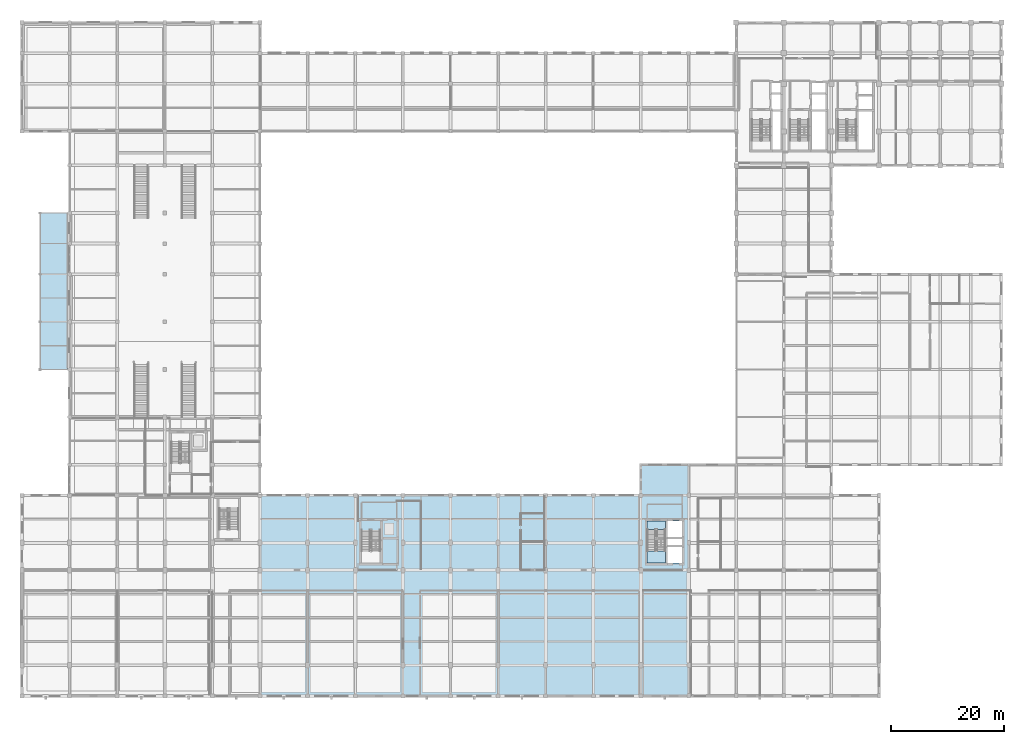
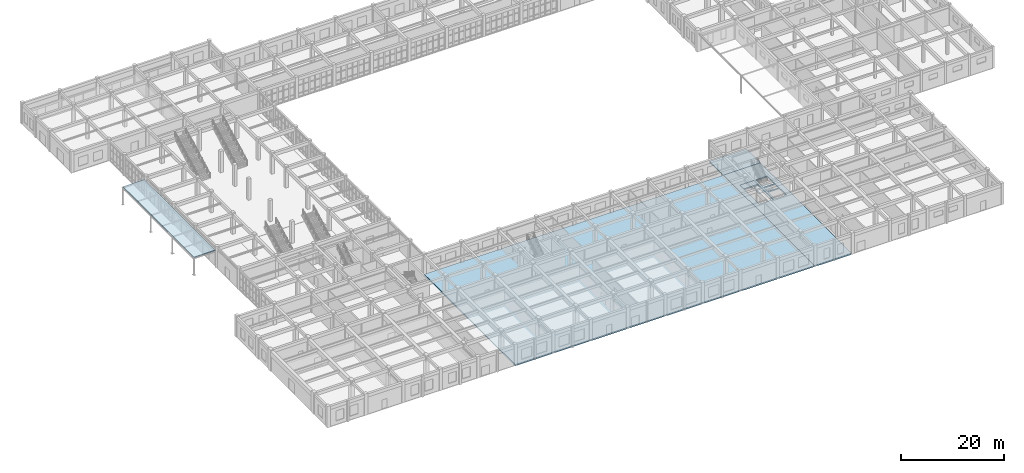
# One storey, part 44 of 80: 6 slabs, 1 element without a shape of its own.
"""IFC4 building model written with IfcOpenShell, lengths in metres."""

from ifc_helpers import new_model, si_unit, direction, frame, origin, place, context, subcontext, project, spatial, polyline, outline, extrude, material, layer, layer_set, type_object, element, aggregate, save


model = new_model("IFC4")

# Units and contexts
model_context = context("Model", 3, precision=1e-05, world=origin(), true_north=direction((0.0, 1.0)))
body_context = subcontext(model_context, "Body", "Model", "MODEL_VIEW")
ifc_project = project(units=[si_unit("LENGTHUNIT", "METRE"), si_unit("AREAUNIT", "SQUARE_METRE"), si_unit("VOLUMEUNIT", "CUBIC_METRE"), si_unit("PLANEANGLEUNIT", "RADIAN"), si_unit("MASSUNIT", "GRAM", prefix="KILO")], contexts=[model_context])

# Site, building, storey
site_placement = place(None, origin())
site = spatial("IfcSite", under=ifc_project, at=site_placement, CompositionType="ELEMENT")
building_placement = place(site_placement, origin())
building = spatial("IfcBuilding", under=site, at=building_placement, Name="Krzemoval Escarpment Law Courts", CompositionType="ELEMENT")
storey_placement = place(building_placement, origin())
storey = spatial("IfcBuildingStorey", under=building, at=storey_placement, Name="L00", CompositionType="ELEMENT", Elevation=0.0)

# Slabs
ifc_material_1 = material(Name="Concrete C40/50", Category="concrete")
ifc_layer_1 = layer(ifc_material_1, 0.300048828125)
ifc_layer_set_1 = layer_set([ifc_layer_1], Name="Concrete C40/50")
slab_type_1 = type_object("IfcSlabType", Name="SL-FLR-300", PredefinedType="FLOOR", material=ifc_layer_set_1)
slab_1_placement = place(storey_placement, frame((0.0, 0.0, -0.300048828125)))
element("IfcSlab", 1, at=slab_1_placement, inside=storey, type_object=slab_type_1, Name="Floor Slab SL-L00-V2-008", PredefinedType="FLOOR", context=body_context, shape_type="SweptSolid", body=[
    extrude(outline(polyline([(109.199951171875, 35.39990234375), (109.199951171875, 0.0), (42.0400390625, 0.0), (42.0400390625, 35.39990234375), (109.199951171875, 35.39990234375)])), origin(), (0.0, 0.0, 1.0), 0.300048828125),
])
slab_2_placement = place(storey_placement, frame((0.0, 0.0, -0.300048828125)))
element("IfcSlab", 2, at=slab_2_placement, inside=storey, type_object=slab_type_1, Name="Floor Slab SL-L00-V3-009", PredefinedType="FLOOR", context=body_context, shape_type="SweptSolid", body=[
    extrude(outline(polyline([(109.199951171875, 0.0), (109.199951171875, 35.39990234375), (117.56005859375, 35.39990234375), (117.56005859375, 0.0), (109.199951171875, 0.0)]), holes=[polyline([(116.449951171875, 23.449951171875), (116.449951171875, 26.25), (113.85009765625, 26.25), (113.85009765625, 23.449951171875), (116.449951171875, 23.449951171875)]), polyline([(113.85009765625, 28.050048828125), (116.449951171875, 28.050048828125), (116.449951171875, 30.85009765625), (113.85009765625, 30.85009765625), (113.85009765625, 28.050048828125)]), polyline([(113.85009765625, 27.800048828125), (113.85009765625, 26.39990234375), (116.449951171875, 26.39990234375), (116.449951171875, 27.800048828125), (113.85009765625, 27.800048828125)]), polyline([(113.5, 30.85009765625), (110.300048828125, 30.85009765625), (110.300048828125, 23.449951171875), (113.5, 23.449951171875), (113.5, 30.85009765625)])]), origin(), (0.0, 0.0, 1.0), 0.300048828125),
])
slab_3_placement = place(storey_placement, frame((0.0, 0.0, -0.300048828125)))
element("IfcSlab", 3, at=slab_3_placement, inside=storey, type_object=slab_type_1, Name="Floor Slab SL-L00-V6-015", PredefinedType="FLOOR", context=body_context, shape_type="SweptSolid", body=[
    extrude(outline(polyline([(109.199951171875, 35.39990234375), (109.199951171875, 40.800048828125), (117.56005859375, 40.800048828125), (117.56005859375, 35.39990234375), (109.199951171875, 35.39990234375)])), origin(), (0.0, 0.0, 1.0), 0.300048828125),
])
slab_4_placement = place(storey_placement, frame((0.0, 0.0, -0.300048828125)))
element("IfcSlab", 4, at=slab_4_placement, inside=storey, type_object=slab_type_1, Name="Core Floor Landing Slab SL-ST6-L00-FL", PredefinedType="FLOOR", context=body_context, shape_type="SweptSolid", body=[
    extrude(outline(polyline([(110.300048828125, 30.85009765625), (110.300048828125, 29.35009765625), (113.5, 29.35009765625), (113.5, 30.85009765625), (110.300048828125, 30.85009765625)])), origin(), (0.0, 0.0, 1.0), 0.300048828125),
])

# Stair, slab
ifc_material_2 = material(Name="Concrete C40/50", Category="concrete")
stair_type = type_object("IfcStairType", Name="STR-CORE-1500", PredefinedType="HALF_TURN_STAIR", material=ifc_material_2)
stair_placement = place(storey_placement, origin())
stair = element("IfcStair", 5, at=stair_placement, inside=storey, type_object=stair_type, Name="L00 ST6", PredefinedType="HALF_TURN_STAIR")
ifc_material_3 = material(Name="Concrete C40/50", Category="concrete")
ifc_layer_2 = layer(ifc_material_3, 0.199951171875)
ifc_layer_set_2 = layer_set([ifc_layer_2], Name="Concrete C40/50")
slab_type_2 = type_object("IfcSlabType", Name="SL-LND-200", PredefinedType="LANDING", material=ifc_layer_set_2)
slab_5_placement = place(storey_placement, frame((0.0, 0.0, 2.35009765625)))
slab_5 = element("IfcSlab", 6, at=slab_5_placement, type_object=slab_type_2, Name="ST6 landing 1", PredefinedType="LANDING", context=body_context, shape_type="SweptSolid", body=[
    extrude(outline(polyline([(110.300048828125, 25.580078125), (110.300048828125, 23.449951171875), (113.5, 23.449951171875), (113.5, 25.580078125), (110.300048828125, 25.580078125)])), origin(), (0.0, 0.0, 1.0), 0.199951171875),
])
aggregate(stair, [slab_5])

# Slab
ifc_material_4 = material(Name="Concrete C40/50", Category="concrete")
ifc_layer_3 = layer(ifc_material_4, 0.179931640625)
ifc_layer_set_3 = layer_set([ifc_layer_3], Name="Concrete C40/50")
slab_type_3 = type_object("IfcSlabType", Name="SL-ROOF-FLAT180", PredefinedType="ROOF", material=ifc_layer_set_3)
slab_6_placement = place(storey_placement, frame((0.0, 0.0, 4.02001953125)))
element("IfcSlab", 7, at=slab_6_placement, inside=storey, type_object=slab_type_3, Name="Entrance Canopy Roof CAN-WEST-01", PredefinedType="ROOF", context=body_context, shape_type="SweptSolid", body=[
    extrude(outline(polyline([(8.0, 57.60009765625), (8.0, 85.199951171875), (3.199951171875, 85.199951171875), (3.199951171875, 57.60009765625), (8.0, 57.60009765625)])), origin(), (0.0, 0.0, 1.0), 0.179931640625),
])

save(model, "model.ifc")
